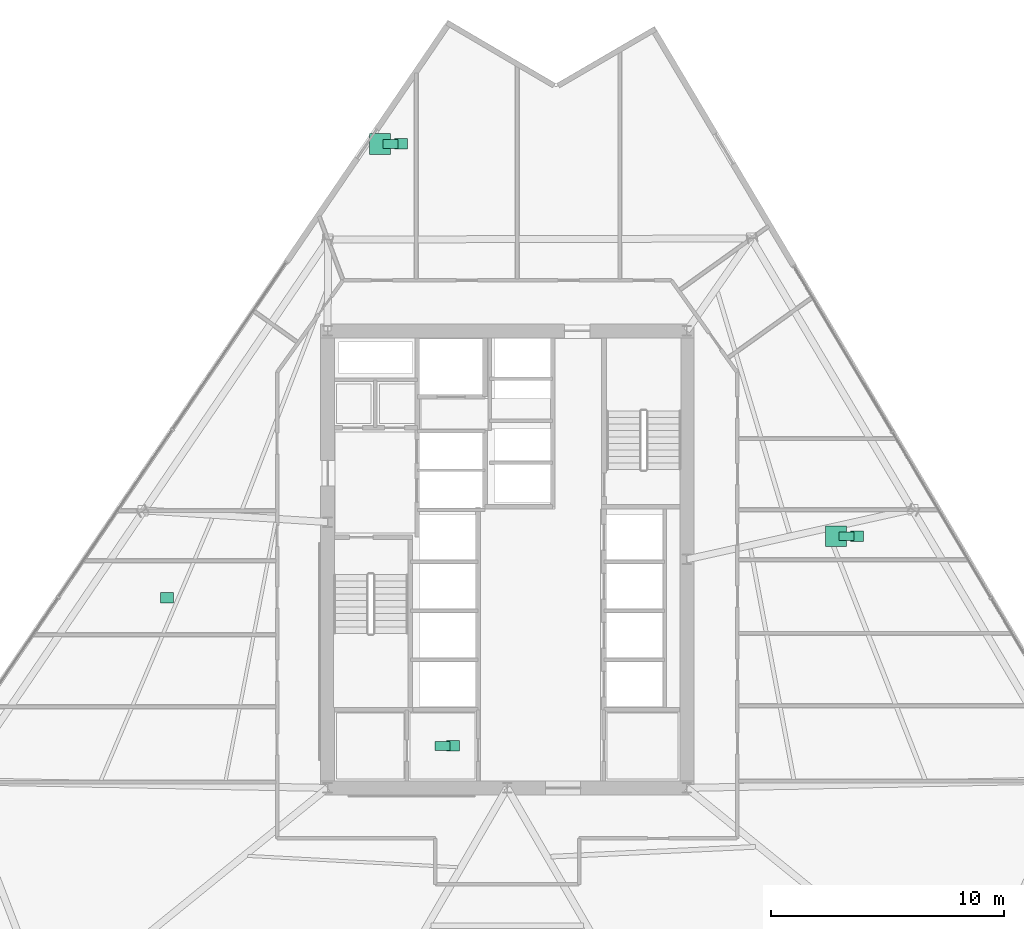
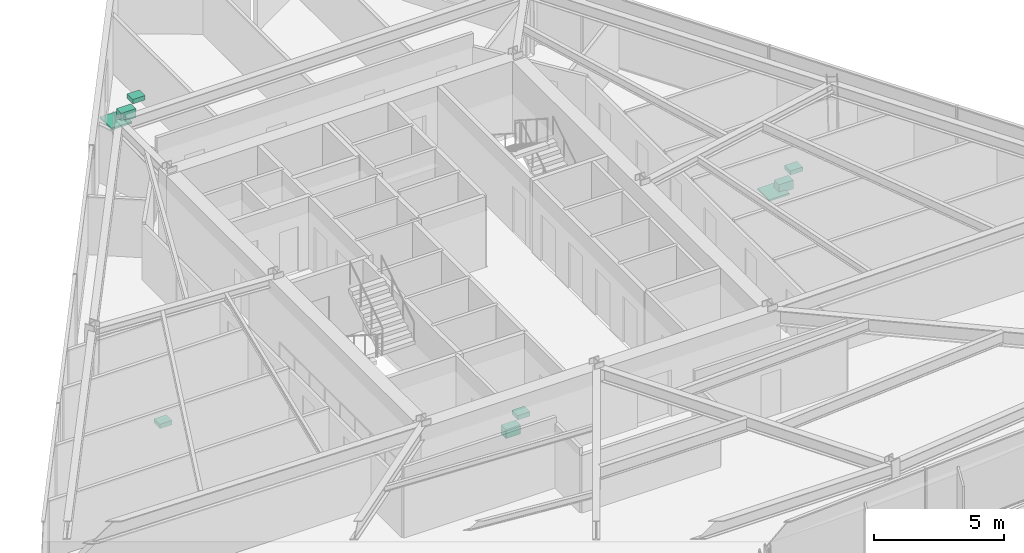
# One storey, part 17 of 17: 9 sanitary terminals.
"""IFC4 building model written with IfcOpenShell, lengths in metres."""

from ifc_helpers import new_model, si_unit, direction, frame, origin, origin_2d, place, context, subcontext, project, spatial, rectangle, extrude, material, type_object, element, save


model = new_model("IFC4")

# Units and contexts
model_context = context("Model", 3, precision=1e-05, world=origin(), true_north=direction((0.0, 1.0)))
body_context = subcontext(model_context, "Body", "Model", "MODEL_VIEW")
ifc_project = project(units=[si_unit("LENGTHUNIT", "METRE"), si_unit("AREAUNIT", "SQUARE_METRE"), si_unit("VOLUMEUNIT", "CUBIC_METRE"), si_unit("PLANEANGLEUNIT", "RADIAN"), si_unit("MASSUNIT", "GRAM", prefix="KILO")], contexts=[model_context])

# Site, building, storey
site_placement = place(None, origin())
site = spatial("IfcSite", under=ifc_project, at=site_placement, CompositionType="ELEMENT")
building_placement = place(site_placement, origin())
building = spatial("IfcBuilding", under=site, at=building_placement, Name="Savorim Split Tower", CompositionType="ELEMENT")
storey_placement = place(building_placement, frame((0.0, 0.0, 58.800048828125)))
storey = spatial("IfcBuildingStorey", under=building, at=storey_placement, Name="L15", CompositionType="ELEMENT", Elevation=58.800048828125)

# Sanitary terminals
ifc_material = material(Name="Vitreous China Sanitaryware")
sanitary_terminal_type_1 = type_object("IfcSanitaryTerminalType", Name="SAN-SHW-900", PredefinedType="SHOWER", material=ifc_material)
for number, where, z_axis, x_axis, name in (
    (1, (14.10009765625, 1.39208984375, 0.0), (0.0, 0.0, 1.0), (1.0, 0.0, 0.0), "L15 Shared Bathroom Shower"),
    (2, (-5.450439453125, 18.214599609375, 0.0), (0.0, 0.0, 1.0), (1.0, 0.0, 0.0), "L15 Shared Bathroom Shower"),
):
    element("IfcSanitaryTerminal", number, at=place(storey_placement, frame(where, z_axis=z_axis, x_axis=x_axis)), inside=storey, type_object=sanitary_terminal_type_1, Name=name, PredefinedType="SHOWER", context=body_context, shape_type="SweptSolid", body=[
        extrude(rectangle(XDim=0.89990234375, YDim=0.89990234375, at=origin_2d()), origin(), (0.0, 0.0, 1.0), 0.080078125),
    ])
sanitary_terminal_type_2 = type_object("IfcSanitaryTerminalType", Name="SAN-WC-PAN", PredefinedType="TOILETPAN", material=ifc_material)
for number, where, z_axis, x_axis, name in (
    (3, (-2.77490234375, -7.60009765625, 0.0), (0.0, 0.0, 1.0), (1.0, 0.0, 0.0), "L15 Accessible WC WC Pan"),
    (4, (14.550048828125, 1.39208984375, 0.0), (0.0, 0.0, 1.0), (1.0, 0.0, 0.0), "L15 Shared Bathroom WC Pan"),
    (5, (-5.00048828125, 18.214599609375, 0.0), (0.0, 0.0, 1.0), (1.0, 0.0, 0.0), "L15 Shared Bathroom WC Pan"),
):
    element("IfcSanitaryTerminal", number, at=place(storey_placement, frame(where, z_axis=z_axis, x_axis=x_axis)), inside=storey, type_object=sanitary_terminal_type_2, Name=name, PredefinedType="TOILETPAN", context=body_context, shape_type="SweptSolid", body=[
        extrude(rectangle(XDim=0.64990234375, YDim=0.3798828125, at=origin_2d()), origin(), (0.0, 0.0, 1.0), 0.419921875),
    ])
sanitary_terminal_type_3 = type_object("IfcSanitaryTerminalType", Name="SAN-WHB-550", PredefinedType="WASHHANDBASIN", material=ifc_material)
for number, where, z_axis, x_axis, name in (
    (6, (-2.324951171875, -7.60009765625, 0.72021484375), (0.0, 0.0, 1.0), (1.0, 0.0, 0.0), "L15 Accessible WC Washhand Basin"),
    (7, (-14.585693359375, -1.243408203125, 0.75), (0.0, 0.0, 1.0), (1.0, 0.0, 0.0), "L15 Shared Kitchen Utility Sink"),
    (8, (15.0, 1.39208984375, 0.72021484375), (0.0, 0.0, 1.0), (1.0, 0.0, 0.0), "L15 Shared Bathroom Washhand Basin"),
    (9, (-4.55029296875, 18.214599609375, 0.72021484375), (0.0, 0.0, 1.0), (1.0, 0.0, 0.0), "L15 Shared Bathroom Washhand Basin"),
):
    element("IfcSanitaryTerminal", number, at=place(storey_placement, frame(where, z_axis=z_axis, x_axis=x_axis)), inside=storey, type_object=sanitary_terminal_type_3, Name=name, PredefinedType="WASHHANDBASIN", context=body_context, shape_type="SweptSolid", body=[
        extrude(rectangle(XDim=0.550048828125, YDim=0.449951171875, at=origin_2d()), origin(), (0.0, 0.0, 1.0), 0.199951171875),
    ])

save(model, "model.ifc")
